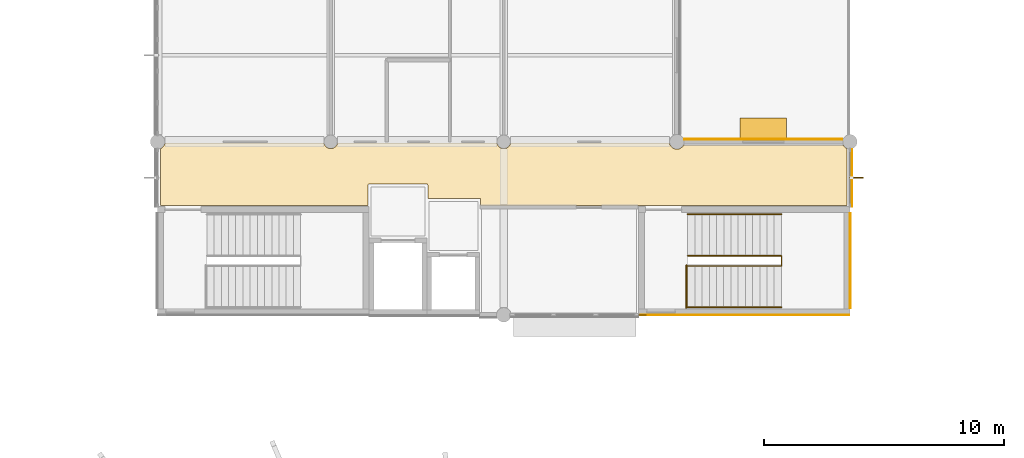
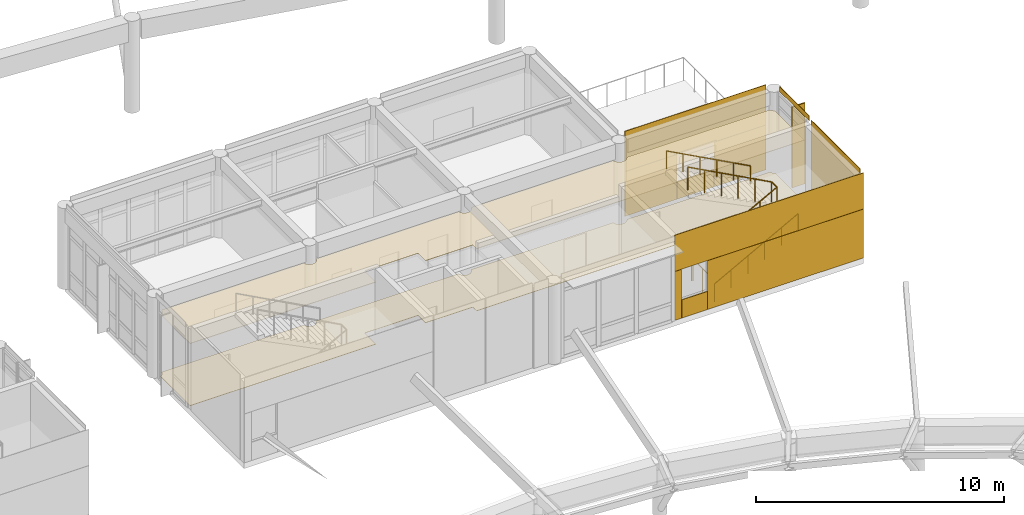
# One storey, part 35 of 37: 12 coverings, 4 railings, 2 shading devices.
"""IFC4 building model written with IfcOpenShell, lengths in metres."""

from ifc_helpers import new_model, si_unit, direction, frame, origin, origin_2d, place, context, subcontext, project, spatial, polyline, rectangle, circle, outline, extrude, material, layer, layer_set, type_object, element, save


model = new_model("IFC4")

# Units and contexts
model_context = context("Model", 3, precision=1e-05, world=origin(), true_north=direction((0.0, 1.0)))
body_context = subcontext(model_context, "Body", "Model", "MODEL_VIEW")
ifc_project = project(units=[si_unit("LENGTHUNIT", "METRE"), si_unit("AREAUNIT", "SQUARE_METRE"), si_unit("VOLUMEUNIT", "CUBIC_METRE"), si_unit("PLANEANGLEUNIT", "RADIAN"), si_unit("MASSUNIT", "GRAM", prefix="KILO")], contexts=[model_context])

# Site, building, storey
site_placement = place(None, origin())
site = spatial("IfcSite", under=ifc_project, at=site_placement, CompositionType="ELEMENT")
building_placement = place(site_placement, origin())
building = spatial("IfcBuilding", under=site, at=building_placement, Name="Namkhue Oval Health Centre", CompositionType="ELEMENT")
storey_placement = place(building_placement, frame((0.0, 0.0, 22.199951171875)))
storey = spatial("IfcBuildingStorey", under=building, at=storey_placement, Name="L05", CompositionType="ELEMENT", Elevation=22.199951171875)

# Coverings
ifc_material_1 = material(Name="Acoustic mineral-fibre cleanroom ceiling", Category="gypsum")
ifc_layer_1 = layer(ifc_material_1, 0.02001953125)
ifc_layer_set_1 = layer_set([ifc_layer_1], Name="Acoustic mineral-fibre cleanroom ceiling")
covering_type_1 = type_object("IfcCoveringType", Name="ACOUSTIC CLEANROOM CEILING 20", PredefinedType="CEILING", material=ifc_layer_set_1)
covering_1_placement = place(storey_placement, frame((0.0, 0.0, 3.050048828125)))
element("IfcCovering", 1, at=covering_1_placement, inside=storey, type_object=covering_type_1, Name="Acoustic Ceiling L05-V3-C1 V3 Clinical Corridor", PredefinedType="CEILING", context=body_context, shape_type="SweptSolid", body=[
    extrude(outline(polyline([(107.0400390625, 94.800048828125), (107.037109375, 94.815185546875), (107.0283203125, 94.828369140625), (107.015380859375, 94.8369140625), (107.0, 94.840087890625), (104.840087890625, 94.840087890625), (104.83984375, 95.40380859375), (104.8369140625, 95.415283203125), (104.828369140625, 95.42822265625), (104.815185546875, 95.43701171875), (104.803955078125, 95.439697265625), (102.39990234375, 95.43994140625), (102.384765625, 95.43701171875), (102.37158203125, 95.42822265625), (102.363037109375, 95.415283203125), (102.360107421875, 95.39990234375), (102.360107421875, 94.5400390625), (93.72509765625, 94.5400390625), (93.72509765625, 96.919189453125), (93.7548828125, 96.931396484375), (93.819091796875, 96.980712890625), (93.868408203125, 97.044921875), (93.8994140625, 97.119873046875), (93.90478515625, 97.159912109375), (100.520263671875, 97.159912109375), (100.524658203125, 97.126220703125), (100.55322265625, 97.0576171875), (100.598388671875, 96.99853515625), (100.657470703125, 96.953125), (100.726318359375, 96.9248046875), (100.800048828125, 96.9150390625), (100.873779296875, 96.9248046875), (100.9423828125, 96.953125), (101.00146484375, 96.99853515625), (101.046875, 97.0576171875), (101.0751953125, 97.126220703125), (101.07958984375, 97.159912109375), (107.72021484375, 97.159912109375), (107.724609375, 97.126220703125), (107.753173828125, 97.0576171875), (107.798583984375, 96.99853515625), (107.857421875, 96.953125), (107.92626953125, 96.9248046875), (108.0, 96.9150390625), (108.07373046875, 96.9248046875), (108.142578125, 96.953125), (108.201416015625, 96.99853515625), (108.246826171875, 97.0576171875), (108.275390625, 97.126220703125), (108.27978515625, 97.159912109375), (114.895263671875, 97.159912109375), (114.900634765625, 97.119873046875), (114.931396484375, 97.044921875), (114.980712890625, 96.980712890625), (115.044921875, 96.931396484375), (115.119873046875, 96.900634765625), (115.199951171875, 96.889892578125), (115.2802734375, 96.900634765625), (115.35498046875, 96.931396484375), (115.419189453125, 96.980712890625), (115.468505859375, 97.044921875), (115.48095703125, 97.074951171875), (122.119140625, 97.074951171875), (122.131591796875, 97.044921875), (122.180908203125, 96.980712890625), (122.2451171875, 96.931396484375), (122.27490234375, 96.919189453125), (122.27490234375, 94.5400390625), (107.0400390625, 94.5400390625), (107.0400390625, 94.800048828125)])), origin(), (0.0, 0.0, 1.0), 0.02001953125),
])
ifc_material_2 = material(Name="Homogeneous anti-bacterial clinical vinyl flooring", Category="plastic")
ifc_layer_2 = layer(ifc_material_2, 0.014892578125)
ifc_layer_set_2 = layer_set([ifc_layer_2], Name="Homogeneous anti-bacterial clinical vinyl flooring")
covering_type_2 = type_object("IfcCoveringType", Name="CLINICAL ANTIBACTERIAL VINYL FLOORING 15", PredefinedType="FLOORING", material=ifc_layer_set_2)
covering_2_placement = place(storey_placement, origin())
element("IfcCovering", 2, at=covering_2_placement, inside=storey, type_object=covering_type_2, Name="Clinical Flooring L05-V3-C1 V3 Clinical Corridor", PredefinedType="FLOORING", context=body_context, shape_type="SweptSolid", body=[
    extrude(outline(polyline([(107.0400390625, 94.800048828125), (107.037109375, 94.815185546875), (107.0283203125, 94.828369140625), (107.015380859375, 94.8369140625), (107.0, 94.840087890625), (104.840087890625, 94.840087890625), (104.83984375, 95.40380859375), (104.8369140625, 95.415283203125), (104.828369140625, 95.42822265625), (104.815185546875, 95.43701171875), (104.803955078125, 95.439697265625), (102.39990234375, 95.43994140625), (102.384765625, 95.43701171875), (102.37158203125, 95.42822265625), (102.363037109375, 95.415283203125), (102.360107421875, 95.39990234375), (102.360107421875, 94.5400390625), (93.72509765625, 94.5400390625), (93.72509765625, 96.919189453125), (93.7548828125, 96.931396484375), (93.819091796875, 96.980712890625), (93.868408203125, 97.044921875), (93.8994140625, 97.119873046875), (93.90478515625, 97.159912109375), (100.520263671875, 97.159912109375), (100.524658203125, 97.126220703125), (100.55322265625, 97.0576171875), (100.598388671875, 96.99853515625), (100.657470703125, 96.953125), (100.726318359375, 96.9248046875), (100.800048828125, 96.9150390625), (100.873779296875, 96.9248046875), (100.9423828125, 96.953125), (101.00146484375, 96.99853515625), (101.046875, 97.0576171875), (101.0751953125, 97.126220703125), (101.07958984375, 97.159912109375), (107.72021484375, 97.159912109375), (107.724609375, 97.126220703125), (107.753173828125, 97.0576171875), (107.798583984375, 96.99853515625), (107.857421875, 96.953125), (107.92626953125, 96.9248046875), (108.0, 96.9150390625), (108.07373046875, 96.9248046875), (108.142578125, 96.953125), (108.201416015625, 96.99853515625), (108.246826171875, 97.0576171875), (108.275390625, 97.126220703125), (108.27978515625, 97.159912109375), (114.895263671875, 97.159912109375), (114.900634765625, 97.119873046875), (114.931396484375, 97.044921875), (114.980712890625, 96.980712890625), (115.044921875, 96.931396484375), (115.119873046875, 96.900634765625), (115.199951171875, 96.889892578125), (115.2802734375, 96.900634765625), (115.35498046875, 96.931396484375), (115.419189453125, 96.980712890625), (115.468505859375, 97.044921875), (115.48095703125, 97.074951171875), (122.119140625, 97.074951171875), (122.131591796875, 97.044921875), (122.180908203125, 96.980712890625), (122.2451171875, 96.931396484375), (122.27490234375, 96.919189453125), (122.27490234375, 94.5400390625), (107.0400390625, 94.5400390625), (107.0400390625, 94.800048828125)])), origin(), (0.0, 0.0, 1.0), 0.01513671875),
])

# Railings
ifc_material_3 = material(Name="Brushed stainless steel 316L balustrade with laminated glass infill", Category="steel")
railing_type_1 = type_object("IfcRailingType", Name="INTERIOR BALUSTRADE GUARD 1150", PredefinedType="BALUSTRADE", material=ifc_material_3)
railing_1_placement = place(storey_placement, frame((115.60009765625, 90.2900390625, 0.0)))
element("IfcRailing", 3, at=railing_1_placement, inside=storey, type_object=railing_type_1, Name="Stair ST-06 L05 Landing Well Edge Guard", PredefinedType="BALUSTRADE", context=body_context, shape_type="SweptSolid", body=[
    extrude(circle(Radius=0.02392578125, at=origin_2d()), frame((0.0, 0.0, 1.1259765625), z_axis=(0.0, 1.0, 0.0), x_axis=(-1.0, 0.0, 0.0)), (0.0, 0.0, 1.0), 1.77001953125),
    extrude(circle(Radius=0.02099609375, at=origin_2d()), origin(), (0.0, 0.0, 1.0), 1.101806640625),
    extrude(circle(Radius=0.02099609375, at=origin_2d()), frame((0.0, 0.885009765625, 0.0)), (0.0, 0.0, 1.0), 1.101806640625),
    extrude(circle(Radius=0.02099609375, at=origin_2d()), frame((0.0, 1.77001953125, 0.0)), (0.0, 0.0, 1.0), 1.101806640625),
])
railing_2_placement = place(storey_placement, frame((115.64990234375, 92.0400390625, 0.0)))
element("IfcRailing", 4, at=railing_2_placement, inside=storey, type_object=railing_type_1, Name="Stair ST-06 L05 Inner Well Guard", PredefinedType="BALUSTRADE", context=body_context, shape_type="SweptSolid", body=[
    extrude(circle(Radius=0.02392578125, at=origin_2d()), frame((0.0, 0.0, 1.1259765625), z_axis=(0.880469330154, 0.0, 0.474103109733), x_axis=(0.0, 1.0, 0.0)), (0.0, 0.0, 1.0), 4.4296875),
    extrude(circle(Radius=0.02392578125, at=origin_2d()), frame((3.900146484375, 0.0, 3.22607421875), z_axis=(0.0, 1.0, 0.0), x_axis=(-1.0, 0.0, 0.0)), (0.0, 0.0, 1.0), 0.419921875),
    extrude(circle(Radius=0.02392578125, at=origin_2d()), frame((3.900146484375, 0.419921875, 3.22607421875), z_axis=(-0.88049233674, 0.0, 0.474060381114), x_axis=(0.0, -1.0, 0.0)), (0.0, 0.0, 1.0), 4.429443359375),
    extrude(circle(Radius=0.02099609375, at=origin_2d()), origin(), (0.0, 0.0, 1.0), 1.101806640625),
    extrude(circle(Radius=0.02099609375, at=origin_2d()), frame((0.780029296875, 0.0, 0.419921875)), (0.0, 0.0, 1.0), 1.101806640625),
    extrude(circle(Radius=0.02099609375, at=origin_2d()), frame((1.56005859375, 0.0, 0.840087890625)), (0.0, 0.0, 1.0), 1.101806640625),
    extrude(circle(Radius=0.02099609375, at=origin_2d()), frame((2.340087890625, 0.0, 1.260009765625)), (0.0, 0.0, 1.0), 1.101806640625),
    extrude(circle(Radius=0.02099609375, at=origin_2d()), frame((3.1201171875, 0.0, 1.68017578125)), (0.0, 0.0, 1.0), 1.101806640625),
    extrude(circle(Radius=0.02099609375, at=origin_2d()), frame((3.900146484375, 0.0, 2.10009765625)), (0.0, 0.0, 1.0), 1.101806640625),
    extrude(circle(Radius=0.02099609375, at=origin_2d()), frame((3.900146484375, 0.419921875, 2.10009765625)), (0.0, 0.0, 1.0), 1.101806640625),
    extrude(circle(Radius=0.02099609375, at=origin_2d()), frame((3.1201171875, 0.419921875, 2.52001953125)), (0.0, 0.0, 1.0), 1.101806640625),
    extrude(circle(Radius=0.02099609375, at=origin_2d()), frame((2.340087890625, 0.419921875, 2.93994140625)), (0.0, 0.0, 1.0), 1.101806640625),
    extrude(circle(Radius=0.02099609375, at=origin_2d()), frame((1.56005859375, 0.419921875, 3.360107421875)), (0.0, 0.0, 1.0), 1.101806640625),
    extrude(circle(Radius=0.02099609375, at=origin_2d()), frame((0.780029296875, 0.419921875, 3.780029296875)), (0.0, 0.0, 1.0), 1.101806640625),
    extrude(circle(Radius=0.02099609375, at=origin_2d()), frame((0.0, 0.419921875, 4.199951171875)), (0.0, 0.0, 1.0), 1.101806640625),
])
ifc_material_4 = material(Name="Brushed stainless steel 304 tubular handrail", Category="steel")
railing_type_2 = type_object("IfcRailingType", Name="INTERIOR STAIR HANDRAIL 900", PredefinedType="HANDRAIL", material=ifc_material_4)
railing_3_placement = place(storey_placement, frame((115.64990234375, 90.320068359375, 0.0)))
element("IfcRailing", 5, at=railing_3_placement, inside=storey, type_object=railing_type_2, Name="Stair ST-06 L05 Flight 1 Handrail", PredefinedType="HANDRAIL", context=body_context, shape_type="SweptSolid", body=[
    extrude(circle(Radius=0.02392578125, at=origin_2d()), frame((0.0, 0.0, 0.8759765625), z_axis=(0.880469330154, 0.0, 0.474103109733), x_axis=(0.0, 1.0, 0.0)), (0.0, 0.0, 1.0), 4.4296875),
    extrude(circle(Radius=0.02099609375, at=origin_2d()), origin(), (0.0, 0.0, 1.0), 0.851806640625),
    extrude(circle(Radius=0.02099609375, at=origin_2d()), frame((0.780029296875, 0.0, 0.419921875)), (0.0, 0.0, 1.0), 0.851806640625),
    extrude(circle(Radius=0.02099609375, at=origin_2d()), frame((1.56005859375, 0.0, 0.840087890625)), (0.0, 0.0, 1.0), 0.851806640625),
    extrude(circle(Radius=0.02099609375, at=origin_2d()), frame((2.340087890625, 0.0, 1.260009765625)), (0.0, 0.0, 1.0), 0.851806640625),
    extrude(circle(Radius=0.02099609375, at=origin_2d()), frame((3.1201171875, 0.0, 1.68017578125)), (0.0, 0.0, 1.0), 0.851806640625),
    extrude(circle(Radius=0.02099609375, at=origin_2d()), frame((3.900146484375, 0.0, 2.10009765625)), (0.0, 0.0, 1.0), 0.851806640625),
])
railing_4_placement = place(storey_placement, frame((119.550048828125, 94.179931640625, 2.10009765625)))
element("IfcRailing", 6, at=railing_4_placement, inside=storey, type_object=railing_type_2, Name="Stair ST-06 L05 Flight 2 Handrail", PredefinedType="HANDRAIL", context=body_context, shape_type="SweptSolid", body=[
    extrude(circle(Radius=0.02392578125, at=origin_2d()), frame((0.0, 0.0, 0.8759765625), z_axis=(-0.88049233674, 0.0, 0.474060381114), x_axis=(0.0, -1.0, 0.0)), (0.0, 0.0, 1.0), 4.429443359375),
    extrude(circle(Radius=0.02099609375, at=origin_2d()), origin(), (0.0, 0.0, 1.0), 0.851806640625),
    extrude(circle(Radius=0.02099609375, at=origin_2d()), frame((-0.780029296875, 0.0, 0.419921875)), (0.0, 0.0, 1.0), 0.851806640625),
    extrude(circle(Radius=0.02099609375, at=origin_2d()), frame((-1.56005859375, 0.0, 0.83984375)), (0.0, 0.0, 1.0), 0.851806640625),
    extrude(circle(Radius=0.02099609375, at=origin_2d()), frame((-2.340087890625, 0.0, 1.260009765625)), (0.0, 0.0, 1.0), 0.851806640625),
    extrude(circle(Radius=0.02099609375, at=origin_2d()), frame((-3.1201171875, 0.0, 1.679931640625)), (0.0, 0.0, 1.0), 0.851806640625),
    extrude(circle(Radius=0.02099609375, at=origin_2d()), frame((-3.900146484375, 0.0, 2.099853515625)), (0.0, 0.0, 1.0), 0.851806640625),
])

# Shading devices
ifc_material_5 = material(Name="Anodised aluminium EN AW-6063 T6", Category="aluminium")
ifc_layer_3 = layer(ifc_material_5, 0.06005859375)
ifc_layer_set_3 = layer_set([ifc_layer_3], Name="Anodised aluminium EN AW-6063 T6")
shading_device_type_1 = type_object("IfcShadingDeviceType", Name="MONSOON SUN LOUVRE 900", PredefinedType="JALOUSIE", material=ifc_layer_set_3)
shading_device_1_placement = place(storey_placement, frame((118.800048828125, 97.735107421875, 2.219970703125), z_axis=(0.0, 0.0, 1.0), x_axis=(-1.0, 0.0, 0.0)))
element("IfcShadingDevice", 7, at=shading_device_1_placement, inside=storey, type_object=shading_device_type_1, Name="Volume V3 L05 Window Monsoon Louvre 174", PredefinedType="JALOUSIE", context=body_context, shape_type="SweptSolid", body=[
    extrude(rectangle(XDim=1.93994140625, YDim=0.89990234375, at=origin_2d()), origin(), (0.0, 0.0, 1.0), 0.06005859375),
])
shading_device_type_2 = type_object("IfcShadingDeviceType", Name="VERTICAL SOLAR FIN 600", PredefinedType="USERDEFINED", material=ifc_material_5)
shading_device_2_placement = place(storey_placement, frame((122.659912109375, 95.70361328125, 0.0), z_axis=(0.0, 0.0, 1.0), x_axis=(1.0, 0.0, 0.0)))
element("IfcShadingDevice", 8, at=shading_device_2_placement, inside=storey, type_object=shading_device_type_2, Name="Volume V3 L05 Extruded Aluminium Solar Fin 173", ObjectType="SOLAR FIN", PredefinedType="USERDEFINED", context=body_context, shape_type="SweptSolid", body=[
    extrude(rectangle(XDim=0.60009765625, YDim=0.06005859375, at=origin_2d()), origin(), (0.0, 0.0, 1.0), 3.969970703125),
])

# Coverings
ifc_material_6 = material(Name="White glass-fibre reinforced concrete GRC rainscreen cladding", Category="concrete")
ifc_layer_4 = layer(ifc_material_6, 0.02490234375)
ifc_layer_set_4 = layer_set([ifc_layer_4], Name="White glass-fibre reinforced concrete GRC rainscreen cladding")
covering_type_3 = type_object("IfcCoveringType", Name="WHITE GRC RAINSCREEN CLADDING 25", PredefinedType="CLADDING", material=ifc_layer_set_4)
covering_3_placement = place(storey_placement, frame((122.488525390625, 95.70361328125, 3.955078125), z_axis=(0.0, 0.0, 1.0), x_axis=(0.0, 1.0, 0.0)))
element("IfcCovering", 9, at=covering_3_placement, inside=storey, type_object=covering_type_3, Name="Volume V3 L05 Curtain Wall Spandrel Cladding 131", PredefinedType="CLADDING", context=body_context, shape_type="SweptSolid", body=[
    extrude(rectangle(XDim=2.39306640625, YDim=0.02490234375, at=origin_2d()), origin(), (0.0, 0.0, 1.0), 0.2451171875),
])
covering_4_placement = place(storey_placement, frame((118.800048828125, 97.306884765625, 2.215087890625), z_axis=(0.0, 0.0, 1.0), x_axis=(-1.0, 0.0, 0.0)))
element("IfcCovering", 10, at=covering_4_placement, inside=storey, type_object=covering_type_3, Name="Volume V3 L05 Facade 82 White GRC Cladding 1", PredefinedType="CLADDING", context=body_context, shape_type="SweptSolid", body=[
    extrude(rectangle(XDim=6.570068359375, YDim=0.02490234375, at=origin_2d()), origin(), (0.0, 0.0, 1.0), 1.97509765625),
])
covering_5_placement = place(storey_placement, frame((120.875, 97.306884765625, 0.01025390625), z_axis=(0.0, 0.0, 1.0), x_axis=(-1.0, 0.0, 0.0)))
element("IfcCovering", 11, at=covering_5_placement, inside=storey, type_object=covering_type_3, Name="Volume V3 L05 Facade 82 White GRC Cladding 2", PredefinedType="CLADDING", context=body_context, shape_type="SweptSolid", body=[
    extrude(rectangle(XDim=2.419921875, YDim=0.02490234375, at=origin_2d()), origin(), (0.0, 0.0, 1.0), 2.199951171875),
])
covering_6_placement = place(storey_placement, frame((118.800048828125, 97.306884765625, 0.010009765625), z_axis=(0.0, 0.0, 1.0), x_axis=(-1.0, 0.0, 0.0)))
element("IfcCovering", 12, at=covering_6_placement, inside=storey, type_object=covering_type_3, Name="Volume V3 L05 Facade 82 White GRC Cladding 3", PredefinedType="CLADDING", context=body_context, shape_type="SweptSolid", body=[
    extrude(rectangle(XDim=1.719970703125, YDim=0.02490234375, at=origin_2d()), origin(), (0.0, 0.0, 1.0), 0.875),
])
covering_7_placement = place(storey_placement, frame((116.72509765625, 97.306884765625, 0.01025390625), z_axis=(0.0, 0.0, 1.0), x_axis=(-1.0, 0.0, 0.0)))
element("IfcCovering", 13, at=covering_7_placement, inside=storey, type_object=covering_type_3, Name="Volume V3 L05 Facade 82 White GRC Cladding 4", PredefinedType="CLADDING", context=body_context, shape_type="SweptSolid", body=[
    extrude(rectangle(XDim=2.419921875, YDim=0.02490234375, at=origin_2d()), origin(), (0.0, 0.0, 1.0), 2.199951171875),
])
covering_8_placement = place(storey_placement, frame((118.0, 89.988037109375, 2.4150390625), z_axis=(0.0, 0.0, 1.0), x_axis=(1.0, 0.0, 0.0)))
element("IfcCovering", 14, at=covering_8_placement, inside=storey, type_object=covering_type_3, Name="Core SC-06 L05 Core S White GRC Cladding 1", PredefinedType="CLADDING", context=body_context, shape_type="SweptSolid", body=[
    extrude(rectangle(XDim=8.760009765625, YDim=0.02490234375, at=origin_2d()), origin(), (0.0, 0.0, 1.0), 1.77490234375),
])
covering_9_placement = place(storey_placement, frame((113.777587890625, 89.988037109375, 0.010009765625), z_axis=(0.0, 0.0, 1.0), x_axis=(1.0, 0.0, 0.0)))
element("IfcCovering", 15, at=covering_9_placement, inside=storey, type_object=covering_type_3, Name="Core SC-06 L05 Core S White GRC Cladding 2", PredefinedType="CLADDING", context=body_context, shape_type="SweptSolid", body=[
    extrude(rectangle(XDim=0.31494140625, YDim=0.02490234375, at=origin_2d()), origin(), (0.0, 0.0, 1.0), 2.39990234375),
])
covering_10_placement = place(storey_placement, frame((114.5400390625, 89.988037109375, 0.010009765625), z_axis=(0.0, 0.0, 1.0), x_axis=(1.0, 0.0, 0.0)))
element("IfcCovering", 16, at=covering_10_placement, inside=storey, type_object=covering_type_3, Name="Core SC-06 L05 Core S White GRC Cladding 3", PredefinedType="CLADDING", context=body_context, shape_type="SweptSolid", body=[
    extrude(rectangle(XDim=1.199951171875, YDim=0.02490234375, at=origin_2d()), origin(), (0.0, 0.0, 1.0), 0.89501953125),
])
covering_11_placement = place(storey_placement, frame((118.762451171875, 89.988037109375, 0.010009765625), z_axis=(0.0, 0.0, 1.0), x_axis=(1.0, 0.0, 0.0)))
element("IfcCovering", 17, at=covering_11_placement, inside=storey, type_object=covering_type_3, Name="Core SC-06 L05 Core S White GRC Cladding 4", PredefinedType="CLADDING", context=body_context, shape_type="SweptSolid", body=[
    extrude(rectangle(XDim=7.235107421875, YDim=0.02490234375, at=origin_2d()), origin(), (0.0, 0.0, 1.0), 2.39990234375),
])
covering_12_placement = place(storey_placement, frame((122.412109375, 92.25, 0.01025390625), z_axis=(0.0, 0.0, 1.0), x_axis=(0.0, 1.0, 0.0)))
element("IfcCovering", 18, at=covering_12_placement, inside=storey, type_object=covering_type_3, Name="Core SC-06 L05 Core E White GRC Cladding 1", PredefinedType="CLADDING", context=body_context, shape_type="SweptSolid", body=[
    extrude(rectangle(XDim=3.9599609375, YDim=0.02490234375, at=origin_2d()), origin(), (0.0, 0.0, 1.0), 4.179931640625),
])

save(model, "model.ifc")
